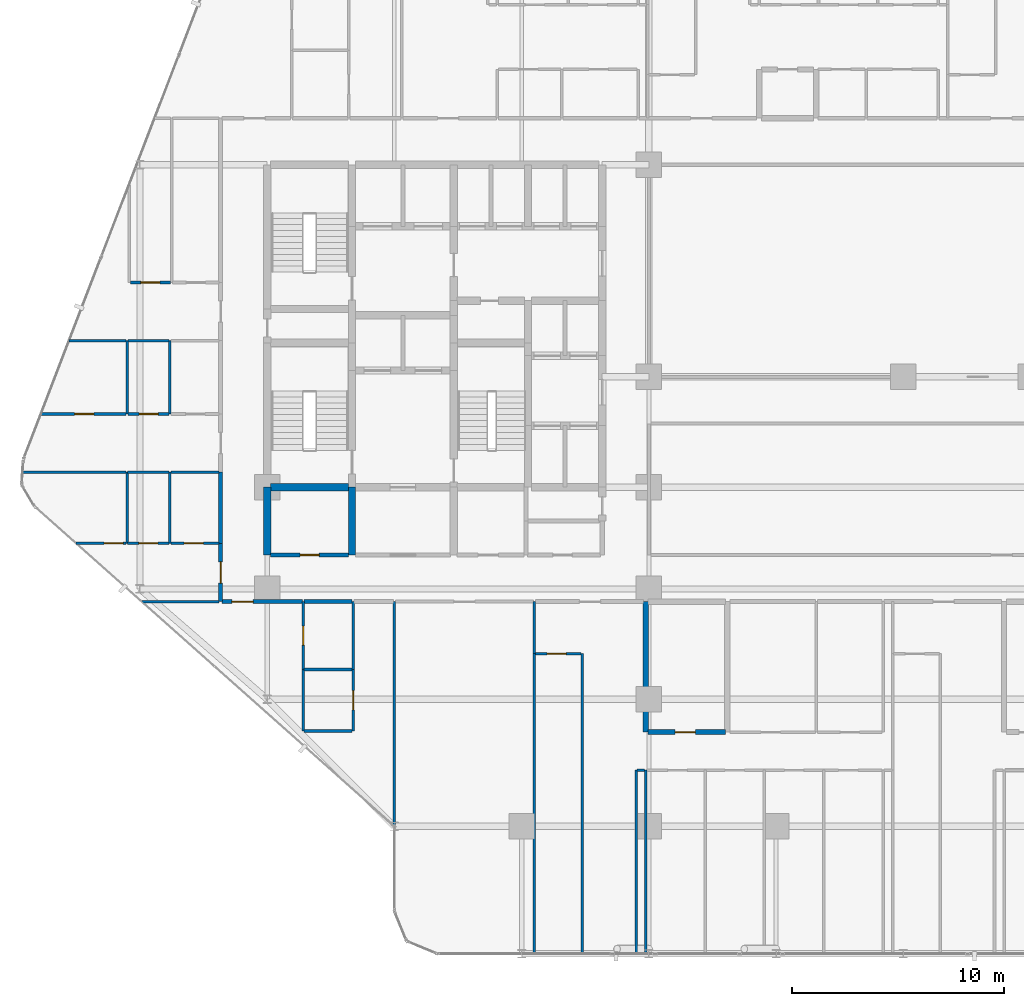
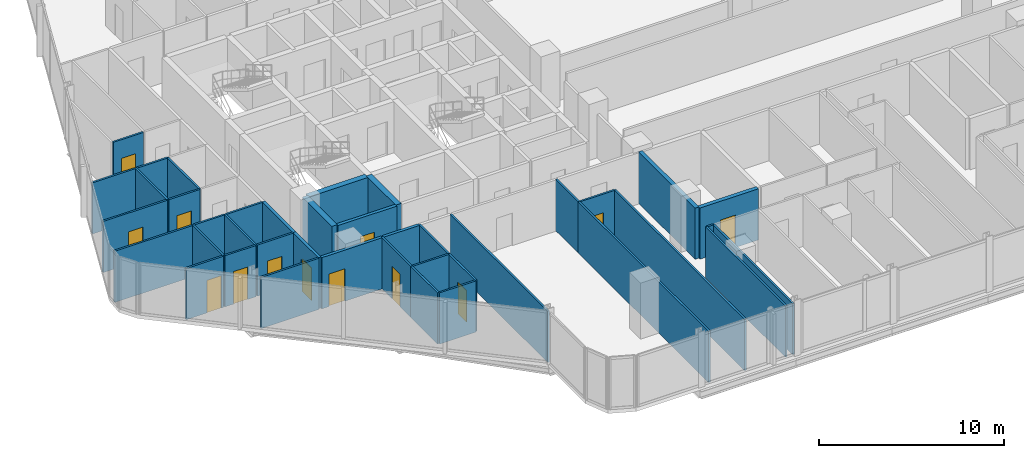
# One storey, part 26 of 34: 40 walls, 13 doors, 13 openings.
"""IFC4 building model written with IfcOpenShell, lengths in metres."""

import ifcopenshell
import ifcopenshell.guid

model = None  # the IFC model being written
_history = None  # IfcOwnerHistory: only IFC2X3 demands one
_inside = {}  # id of a spatial element -> (the spatial element, [elements in it])
_under = {}  # id of a project, library or spatial element -> (it, [spatial elements below it])
_declared = {}  # id of a project -> (the project, [libraries it declares])
_typed = {}  # id of a type object -> (the type object, [elements of that type])
_made_of = {}  # id of a material, layer set ... -> (it, [elements and type objects made of it])


def new_model(schema):
    """Start an empty IFC model of exactly this schema.

    Asked for "IFC4X3", IfcOpenShell would pick the latest addendum, in which some entities
    have other attributes; the version numbers below select the first issue.
    IFC2X3 requires an IfcOwnerHistory on every rooted entity: one is made here for all.
    """
    global model, _history
    if schema == "IFC4X3":
        model = ifcopenshell.file(schema_version=(4, 3, 0, 0))
    else:
        model = ifcopenshell.file(schema=schema)
    _inside.clear()
    _under.clear()
    _declared.clear()
    _typed.clear()
    _made_of.clear()
    _history = None
    if model.schema == "IFC2X3":
        org = make("IfcOrganization", Name="unknown")
        user = make(
            "IfcPersonAndOrganization",
            ThePerson=make("IfcPerson", FamilyName="unknown"),
            TheOrganization=org,
        )
        app = make(
            "IfcApplication",
            ApplicationDeveloper=org,
            Version="unknown",
            ApplicationFullName="unknown",
            ApplicationIdentifier="unknown",
        )
        _history = make(
            "IfcOwnerHistory",
            OwningUser=user,
            OwningApplication=app,
            ChangeAction="ADDED",
            CreationDate=0,
        )
    return model


def make(cls, **values):
    """One entity of the class cls with the attributes given. An attribute that is None is left unset."""
    return model.create_entity(
        cls, **{name: value for name, value in values.items() if value is not None}
    )


def rooted(cls, **values):
    """An entity with a GlobalId (a new one), such as an element, a storey or a relation."""
    return make(cls, GlobalId=ifcopenshell.guid.new(), OwnerHistory=_history, **values)


def si_unit(unit_type, name, prefix=None):
    """IfcSIUnit, for example si_unit("LENGTHUNIT", "METRE", prefix="MILLI")."""
    return make("IfcSIUnit", UnitType=unit_type, Prefix=prefix, Name=name)


def assignment(units):
    """IfcUnitAssignment: the units of a project."""
    return None if units is None else make("IfcUnitAssignment", Units=units)


def point(xyz):
    """IfcCartesianPoint."""
    return None if xyz is None else make("IfcCartesianPoint", Coordinates=xyz)


def direction(xyz):
    """IfcDirection."""
    return None if xyz is None else make("IfcDirection", DirectionRatios=xyz)


def frame(location, z_axis=None, x_axis=None):
    """IfcAxis2Placement3D, a coordinate frame: its origin and axes. An axis left out is left unset."""
    return make(
        "IfcAxis2Placement3D",
        Location=point(location),
        Axis=direction(z_axis),
        RefDirection=direction(x_axis),
    )


def frame_2d(location, x_axis=None):
    """IfcAxis2Placement2D, a coordinate frame in the plane: its origin and x axis."""
    return make(
        "IfcAxis2Placement2D", Location=point(location), RefDirection=direction(x_axis)
    )


def origin():
    """The frame at (0, 0, 0) with its axes left unset."""
    return frame((0.0, 0.0, 0.0))


def place(relative_to, where):
    """IfcLocalPlacement: puts the frame where relative to a parent placement (None: the world)."""
    return make(
        "IfcLocalPlacement", PlacementRelTo=relative_to, RelativePlacement=where
    )


def context(
    kind, dimensions, precision=None, world=None, true_north=None, identifier=None
):
    """IfcGeometricRepresentationContext, for example the 3D "Model" context."""
    return make(
        "IfcGeometricRepresentationContext",
        ContextIdentifier=identifier,
        ContextType=kind,
        CoordinateSpaceDimension=dimensions,
        Precision=precision,
        WorldCoordinateSystem=world,
        TrueNorth=true_north,
    )


def subcontext(parent, identifier, kind, view, scale=None):
    """IfcGeometricRepresentationSubContext, for example "Body" below "Model"."""
    return make(
        "IfcGeometricRepresentationSubContext",
        ContextIdentifier=identifier,
        ContextType=kind,
        ParentContext=parent,
        TargetScale=scale,
        TargetView=view,
    )


def project(units=None, contexts=None):
    """IfcProject with its units and contexts."""
    return rooted(
        "IfcProject",
        Name="project",
        RepresentationContexts=contexts,
        UnitsInContext=assignment(units),
    )


def spatial(cls, under=None, at=None, **own):
    """A site, building, storey or space (cls), placed at a placement, below another one or the project."""
    s = rooted(cls, ObjectPlacement=at, **own)
    if under is not None:
        _under.setdefault(under.id(), (under, []))[1].append(s)
    return s


def profile(cls, at=None, kind="AREA", **sizes):
    """A parametric profile (cls). Its sizes go by their IFC names, for example OverallWidth=200.0."""
    return make(cls, ProfileType=kind, Position=at, **sizes)


def rectangle(**sizes):
    """IfcRectangleProfileDef."""
    return profile("IfcRectangleProfileDef", **sizes)


def extrude(swept, where, along, depth):
    """IfcExtrudedAreaSolid: the profile swept, set in the frame where, extruded along a direction by depth."""
    return make(
        "IfcExtrudedAreaSolid",
        SweptArea=swept,
        Position=where,
        ExtrudedDirection=direction(along),
        Depth=depth,
    )


def shape(context_of_items, identifier, shape_type, items):
    """IfcShapeRepresentation: the items that make up one representation, for example the "Body"."""
    return make(
        "IfcShapeRepresentation",
        ContextOfItems=context_of_items,
        RepresentationIdentifier=identifier,
        RepresentationType=shape_type,
        Items=items,
    )


def material(Name=None, Category=None):
    """IfcMaterial."""
    return make("IfcMaterial", Name=Name, Category=Category)


def layer(
    of_material, thickness, ventilated=None, Name=None, Category=None, Priority=None
):
    """IfcMaterialLayer: one layer of a wall or slab, of a material (None: an air gap)."""
    return make(
        "IfcMaterialLayer",
        Material=of_material,
        LayerThickness=thickness,
        IsVentilated=ventilated,
        Name=Name,
        Category=Category,
        Priority=Priority,
    )


def layer_set(layers, Name=None):
    """IfcMaterialLayerSet."""
    return make("IfcMaterialLayerSet", MaterialLayers=layers, LayerSetName=Name)


def made_of(thing, what):
    """Note that an element or type object is made of a material, layer set ...; save() writes the relation."""
    if what is not None:
        _made_of.setdefault(what.id(), (what, []))[1].append(thing)
    return thing


def type_object(cls, material=None, **own):
    """A type object (cls), such as IfcWallType, which elements share."""
    return made_of(rooted(cls, **own), material)


def element(
    cls,
    number,
    at=None,
    inside=None,
    cuts=None,
    type_object=None,
    material=None,
    context=None,
    identifier="Body",
    shape_type=None,
    held_by="IfcProductDefinitionShape",
    body=None,
    shapes=None,
    **own,
):
    """One element of the class cls, such as IfcWall. Its Tag is "e" and its number.

    at: its placement. inside: the storey or other place that contains it. cuts: it is an
    opening in that element (IfcRelVoidsElement). A single representation is given by context,
    identifier, shape_type and body (its items); several are given by shapes. held_by: the class
    of the entity that holds the representations. save() writes the other relations.
    """
    e = rooted(cls, Tag="e%d" % number, ObjectPlacement=at, **own)
    if body is not None:
        shapes = [shape(context, identifier, shape_type, body)]
    if shapes is not None:
        e.Representation = make(held_by, Representations=shapes)
    if inside is not None:
        _inside.setdefault(inside.id(), (inside, []))[1].append(e)
    if cuts is not None:
        rooted(
            "IfcRelVoidsElement", RelatingBuildingElement=cuts, RelatedOpeningElement=e
        )
    if type_object is not None:
        _typed.setdefault(type_object.id(), (type_object, []))[1].append(e)
    return made_of(e, material)


def fill(opening, filler):
    """IfcRelFillsElement: the door or window that sits in an opening."""
    return rooted(
        "IfcRelFillsElement",
        RelatingOpeningElement=opening,
        RelatedBuildingElement=filler,
    )


def aggregate(whole, parts):
    """IfcRelAggregates: a whole, such as a stair, and the parts it consists of."""
    return rooted("IfcRelAggregates", RelatingObject=whole, RelatedObjects=parts)


def save(model, path):
    """Write the relations noted so far, then the file.

    IfcRelAggregates (storeys below a building ...), IfcRelContainedInSpatialStructure (elements
    in a storey), IfcRelDefinesByType, IfcRelAssociatesMaterial and IfcRelDeclares: one each for
    every whole, place, type object, material and project.
    """
    for whole, parts in _under.values():
        aggregate(whole, parts)
    for where, things in _inside.values():
        rooted(
            "IfcRelContainedInSpatialStructure",
            RelatedElements=things,
            RelatingStructure=where,
        )
    for kind, things in _typed.values():
        rooted("IfcRelDefinesByType", RelatedObjects=things, RelatingType=kind)
    for what, things in _made_of.values():
        rooted("IfcRelAssociatesMaterial", RelatedObjects=things, RelatingMaterial=what)
    for by, libraries in _declared.values():
        rooted("IfcRelDeclares", RelatingContext=by, RelatedDefinitions=libraries)
    model.write(path)


model = new_model("IFC4")

# Units and contexts
model_context = context("Model", 3, precision=1e-05, world=origin(), true_north=direction((0.0, 1.0)))
body_context = subcontext(model_context, "Body", "Model", "MODEL_VIEW")
ifc_project = project(units=[si_unit("LENGTHUNIT", "METRE"), si_unit("AREAUNIT", "SQUARE_METRE"), si_unit("VOLUMEUNIT", "CUBIC_METRE"), si_unit("PLANEANGLEUNIT", "RADIAN"), si_unit("MASSUNIT", "GRAM", prefix="KILO")], contexts=[model_context])

# Site, building, storey
site_placement = place(None, origin())
site = spatial("IfcSite", under=ifc_project, at=site_placement, CompositionType="ELEMENT")
building_placement = place(site_placement, origin())
building = spatial("IfcBuilding", under=site, at=building_placement, Name="Keshet Zoharim Tower", CompositionType="ELEMENT")
storey_placement = place(building_placement, frame((0.0, 0.0, 53.60009765625)))
storey = spatial("IfcBuildingStorey", under=building, at=storey_placement, Name="L12", CompositionType="ELEMENT", Elevation=53.60009765625)

# Walls
ifc_material_1 = material(Name="Concrete C60/75", Category="concrete")
ifc_layer_1 = layer(ifc_material_1, 0.35009765625)
ifc_layer_set_1 = layer_set([ifc_layer_1], Name="Concrete C60/75")
wall_type_1 = type_object("IfcWallType", Name="WL-CORE-350", PredefinedType="SHEAR", material=ifc_layer_set_1)
for number, where, z_axis, x_axis, name in (
    (1, (15.0, 19.5, 0.0), (0.0, 0.0, 1.0), (0.0, 1.0, 0.0), "L12 Core Shear Wall 013"),
    (2, (19.0, 19.5, 0.0), (0.0, 0.0, 1.0), (0.0, 1.0, 0.0), "L12 Core Shear Wall 023"),
):
    element("IfcWall", number, at=place(storey_placement, frame(where, z_axis=z_axis, x_axis=x_axis)), inside=storey, type_object=wall_type_1, Name=name, PredefinedType="SHEAR", context=body_context, shape_type="SweptSolid", body=[
        extrude(rectangle(XDim=3.199951171875, YDim=0.35009765625, at=frame_2d((1.60009765625, 0.0))), origin(), (0.0, 0.0, 1.0), 3.385009765625),
    ])
wall_1_placement = place(storey_placement, frame((15.159912109375, 22.699951171875, 0.0), z_axis=(0.0, 0.0, 1.0), x_axis=(1.0, 0.0, 0.0)))
element("IfcWall", 3, at=wall_1_placement, inside=storey, type_object=wall_type_1, Name="L12 Core Shear Wall 174", PredefinedType="SHEAR", context=body_context, shape_type="SweptSolid", body=[
    extrude(rectangle(XDim=3.68017578125, YDim=0.35009765625, at=frame_2d((1.840087890625, 0.0))), origin(), (0.0, 0.0, 1.0), 3.385009765625),
])

# Wall, opening, door
ifc_material_2 = material(Name="Gypsum Plasterboard", Category="gypsum")
ifc_layer_2 = layer(ifc_material_2, 0.179931640625)
ifc_layer_set_2 = layer_set([ifc_layer_2], Name="Gypsum Plasterboard")
wall_type_2 = type_object("IfcWallType", Name="WL-CORR-180", PredefinedType="STANDARD", material=ifc_layer_set_2)
wall_2_placement = place(storey_placement, frame((12.800048828125, 17.300048828125, 0.0), z_axis=(0.0, 0.0, 1.0), x_axis=(0.0, 1.0, 0.0)))
wall_2 = element("IfcWall", 4, at=wall_2_placement, inside=storey, type_object=wall_type_2, Name="L12 Interior Wall 007", PredefinedType="STANDARD", context=body_context, shape_type="SweptSolid", body=[
    extrude(rectangle(XDim=2.75, YDim=0.179931640625, at=frame_2d((1.375, 0.0))), origin(), (0.0, 0.0, 1.0), 3.385009765625),
])
opening_1_placement = place(wall_2_placement, frame((0.875, 0.0, 0.0)))
opening_1 = element("IfcOpeningElement", 5, at=opening_1_placement, cuts=wall_2, Name="Opening D-F310", PredefinedType="OPENING", context=body_context, shape_type="SweptSolid", body=[
    extrude(rectangle(XDim=1.0, YDim=2.14990234375, at=frame_2d((0.5, 1.074951171875))), frame((0.0, 0.10009765625, 0.0), z_axis=(0.0, -1.0, 0.0), x_axis=(1.0, 0.0, 0.0)), (0.0, 0.0, 1.0), 0.199951171875),
])
ifc_material_3 = material(Name="Hardwood Timber", Category="wood")
door_type_1 = type_object("IfcDoorType", Name="DR-FD30-100", OperationType="NOTDEFINED", PredefinedType="DOOR", material=ifc_material_3)
door_1_placement = place(opening_1_placement, origin())
door_1 = element("IfcDoor", 6, at=door_1_placement, inside=storey, type_object=door_type_1, Name="Apartment 1209 Entrance Door", OperationType="SINGLE_SWING_LEFT", OverallHeight=2.14990234375, OverallWidth=1.0, PredefinedType="DOOR", context=body_context, shape_type="SweptSolid", body=[
    extrude(rectangle(XDim=1.0, YDim=2.14990234375, at=frame_2d((0.5, 1.074951171875))), frame((0.0, 0.02490234375, 0.0), z_axis=(0.0, -1.0, 0.0), x_axis=(1.0, 0.0, 0.0)), (0.0, 0.0, 1.0), 0.050048828125),
])
fill(opening_1, door_1)

# Wall
wall_3_placement = place(storey_placement, frame((12.800048828125, 20.050048828125, 0.0), z_axis=(0.0, 0.0, 1.0), x_axis=(0.0, 1.0, 0.0)))
element("IfcWall", 7, at=wall_3_placement, inside=storey, type_object=wall_type_2, Name="L12 Interior Wall 008", PredefinedType="STANDARD", context=body_context, shape_type="SweptSolid", body=[
    extrude(rectangle(XDim=3.35986328125, YDim=0.179931640625, at=frame_2d((1.679931640625, 0.0))), origin(), (0.0, 0.0, 1.0), 3.385009765625),
])

# Wall, opening, door
wall_4_placement = place(storey_placement, frame((12.875, 17.300048828125, 0.0), z_axis=(0.0, 0.0, 1.0), x_axis=(1.0, 0.0, 0.0)))
wall_4 = element("IfcWall", 8, at=wall_4_placement, inside=storey, type_object=wall_type_2, Name="L12 Interior Wall 148", PredefinedType="STANDARD", context=body_context, shape_type="SweptSolid", body=[
    extrude(rectangle(XDim=3.780029296875, YDim=0.179931640625, at=frame_2d((1.89013671875, 0.0))), origin(), (0.0, 0.0, 1.0), 3.385009765625),
])
opening_2_placement = place(wall_4_placement, frame((0.4580078125, 0.0, 0.0)))
opening_2 = element("IfcOpeningElement", 9, at=opening_2_placement, cuts=wall_4, Name="Opening D-F310", PredefinedType="OPENING", context=body_context, shape_type="SweptSolid", body=[
    extrude(rectangle(XDim=1.0, YDim=2.14990234375, at=frame_2d((0.5, 1.074951171875))), frame((0.0, 0.10009765625, 0.0), z_axis=(0.0, -1.0, 0.0), x_axis=(1.0, 0.0, 0.0)), (0.0, 0.0, 1.0), 0.199951171875),
])
door_2_placement = place(opening_2_placement, origin())
door_2 = element("IfcDoor", 10, at=door_2_placement, inside=storey, type_object=door_type_1, Name="Apartment 1201 Entrance Door", OperationType="SINGLE_SWING_LEFT", OverallHeight=2.14990234375, OverallWidth=1.0, PredefinedType="DOOR", context=body_context, shape_type="SweptSolid", body=[
    extrude(rectangle(XDim=1.0, YDim=2.14990234375, at=frame_2d((0.5, 1.074951171875))), frame((0.0, 0.02490234375, 0.0), z_axis=(0.0, -1.0, 0.0), x_axis=(1.0, 0.0, 0.0)), (0.0, 0.0, 1.0), 0.050048828125),
])
fill(opening_2, door_2)

# Wall
wall_5_placement = place(storey_placement, frame((16.7451171875, 17.300048828125, 0.0), z_axis=(0.0, 0.0, 1.0), x_axis=(1.0, 0.0, 0.0)))
element("IfcWall", 11, at=wall_5_placement, inside=storey, type_object=wall_type_2, Name="L12 Interior Wall 149", PredefinedType="STANDARD", context=body_context, shape_type="SweptSolid", body=[
    extrude(rectangle(XDim=2.259765625, YDim=0.179931640625, at=frame_2d((1.1298828125, 0.0))), origin(), (0.0, 0.0, 1.0), 3.385009765625),
])

# Wall, opening, door
ifc_material_4 = material(Name="Concrete C50/60", Category="concrete")
ifc_layer_3 = layer(ifc_material_4, 0.199951171875)
ifc_layer_set_3 = layer_set([ifc_layer_3], Name="Concrete C50/60")
wall_type_3 = type_object("IfcWallType", Name="WL-FIRE-200", PredefinedType="STANDARD", material=ifc_layer_set_3)
wall_6_placement = place(storey_placement, frame((15.159912109375, 19.5, 0.0), z_axis=(0.0, 0.0, 1.0), x_axis=(1.0, 0.0, 0.0)))
wall_6 = element("IfcWall", 12, at=wall_6_placement, inside=storey, type_object=wall_type_3, Name="L12 Interior Wall 165", PredefinedType="STANDARD", context=body_context, shape_type="SweptSolid", body=[
    extrude(rectangle(XDim=3.68017578125, YDim=0.199951171875, at=frame_2d((1.840087890625, 0.0))), origin(), (0.0, 0.0, 1.0), 3.385009765625),
])
opening_3_placement = place(wall_6_placement, frame((1.389892578125, 0.0, 0.0)))
opening_3 = element("IfcOpeningElement", 13, at=opening_3_placement, cuts=wall_6, Name="Opening D-F690", PredefinedType="OPENING", context=body_context, shape_type="SweptSolid", body=[
    extrude(rectangle(XDim=0.89990234375, YDim=2.14990234375, at=frame_2d((0.449951171875, 1.074951171875))), frame((0.0, 0.10986328125, 0.0), z_axis=(0.0, -1.0, 0.0), x_axis=(1.0, 0.0, 0.0)), (0.0, 0.0, 1.0), 0.219970703125),
])
door_type_2 = type_object("IfcDoorType", Name="DR-FD60-090", OperationType="NOTDEFINED", PredefinedType="DOOR", material=ifc_material_3)
door_3_placement = place(opening_3_placement, origin())
door_3 = element("IfcDoor", 14, at=door_3_placement, inside=storey, type_object=door_type_2, Name="L12 Refuse Store Door", OperationType="SINGLE_SWING_RIGHT", OverallHeight=2.14990234375, OverallWidth=0.89990234375, PredefinedType="DOOR", context=body_context, shape_type="SweptSolid", body=[
    extrude(rectangle(XDim=0.89990234375, YDim=2.14990234375, at=frame_2d((0.449951171875, 1.074951171875))), frame((0.0, 0.02490234375, 0.0), z_axis=(0.0, -1.0, 0.0), x_axis=(1.0, 0.0, 0.0)), (0.0, 0.0, 1.0), 0.050048828125),
])
fill(opening_3, door_3)

# Wall
ifc_layer_4 = layer(ifc_material_4, 0.25)
ifc_layer_set_4 = layer_set([ifc_layer_4], Name="Concrete C50/60")
wall_type_4 = type_object("IfcWallType", Name="WL-MAMAD-250", PredefinedType="STANDARD", material=ifc_layer_set_4)
wall_7_placement = place(storey_placement, frame((32.85009765625, 11.14990234375, 0.0), z_axis=(0.0, 0.0, 1.0), x_axis=(0.0, 1.0, 0.0)))
element("IfcWall", 15, at=wall_7_placement, inside=storey, type_object=wall_type_4, Name="L12 Interior Wall 071", PredefinedType="STANDARD", context=body_context, shape_type="SweptSolid", body=[
    extrude(rectangle(XDim=6.150146484375, YDim=0.25, at=frame_2d((3.0751953125, 0.0))), origin(), (0.0, 0.0, 1.0), 3.385009765625),
])

# Wall, opening, door
wall_8_placement = place(storey_placement, frame((32.9599609375, 11.14990234375, 0.0), z_axis=(0.0, 0.0, 1.0), x_axis=(1.0, 0.0, 0.0)))
wall_8 = element("IfcWall", 16, at=wall_8_placement, inside=storey, type_object=wall_type_4, Name="L12 Interior Wall 135", PredefinedType="STANDARD", context=body_context, shape_type="SweptSolid", body=[
    extrude(rectangle(XDim=3.655029296875, YDim=0.25, at=frame_2d((1.82763671875, 0.0))), origin(), (0.0, 0.0, 1.0), 3.385009765625),
])
opening_4_placement = place(wall_8_placement, frame((1.281005859375, 0.0, 0.0)))
opening_4 = element("IfcOpeningElement", 17, at=opening_4_placement, cuts=wall_8, Name="Opening D-F695", PredefinedType="OPENING", context=body_context, shape_type="SweptSolid", body=[
    extrude(rectangle(XDim=0.949951171875, YDim=2.14990234375, at=frame_2d((0.47509765625, 1.074951171875))), frame((0.0, 0.135009765625, 0.0), z_axis=(0.0, -1.0, 0.0), x_axis=(1.0, 0.0, 0.0)), (0.0, 0.0, 1.0), 0.27001953125),
])
door_type_3 = type_object("IfcDoorType", Name="DR-FD60-095", OperationType="NOTDEFINED", PredefinedType="DOOR", material=ifc_material_3)
door_4_placement = place(opening_4_placement, origin())
door_4 = element("IfcDoor", 18, at=door_4_placement, inside=storey, type_object=door_type_3, Name="Apartment 1202 Study and Shelter Room Door", OperationType="SINGLE_SWING_LEFT", OverallHeight=2.14990234375, OverallWidth=0.949951171875, PredefinedType="DOOR", context=body_context, shape_type="SweptSolid", body=[
    extrude(rectangle(XDim=0.949951171875, YDim=2.14990234375, at=frame_2d((0.47509765625, 1.074951171875))), frame((0.0, 0.02490234375, 0.0), z_axis=(0.0, -1.0, 0.0), x_axis=(1.0, 0.0, 0.0)), (0.0, 0.0, 1.0), 0.050048828125),
])
fill(opening_4, door_4)

# Walls
ifc_layer_5 = layer(ifc_material_2, 0.1201171875)
ifc_layer_set_5 = layer_set([ifc_layer_5], Name="Gypsum Plasterboard")
wall_type_5 = type_object("IfcWallType", Name="WL-PART-120", PredefinedType="PARTITIONING", material=ifc_layer_set_5)
wall_9_placement = place(storey_placement, frame((8.39990234375, 20.050048828125, 0.0), z_axis=(0.0, 0.0, 1.0), x_axis=(0.0, 1.0, 0.0)))
element("IfcWall", 19, at=wall_9_placement, inside=storey, type_object=wall_type_5, Name="L12 Interior Wall 001", PredefinedType="PARTITIONING", context=body_context, shape_type="SweptSolid", body=[
    extrude(rectangle(XDim=3.35986328125, YDim=0.1201171875, at=frame_2d((1.679931640625, 0.0))), origin(), (0.0, 0.0, 1.0), 3.385009765625),
])
wall_10_placement = place(storey_placement, frame((8.39990234375, 26.159912109375, 0.0), z_axis=(0.0, 0.0, 1.0), x_axis=(0.0, 1.0, 0.0)))
element("IfcWall", 20, at=wall_10_placement, inside=storey, type_object=wall_type_5, Name="L12 Interior Wall 002", PredefinedType="PARTITIONING", context=body_context, shape_type="SweptSolid", body=[
    extrude(rectangle(XDim=3.4501953125, YDim=0.1201171875, at=frame_2d((1.72509765625, 0.0))), origin(), (0.0, 0.0, 1.0), 3.385009765625),
])

# Wall, opening, door
wall_11_placement = place(storey_placement, frame((16.699951171875, 14.10009765625, 0.0), z_axis=(0.0, 0.0, 1.0), x_axis=(0.0, 1.0, 0.0)))
wall_11 = element("IfcWall", 21, at=wall_11_placement, inside=storey, type_object=wall_type_5, Name="L12 Interior Wall 020", PredefinedType="PARTITIONING", context=body_context, shape_type="SweptSolid", body=[
    extrude(rectangle(XDim=3.199951171875, YDim=0.1201171875, at=frame_2d((1.60009765625, 0.0))), origin(), (0.0, 0.0, 1.0), 3.385009765625),
])
opening_5_placement = place(wall_11_placement, frame((1.14990234375, 0.0, 0.0)))
opening_5 = element("IfcOpeningElement", 22, at=opening_5_placement, cuts=wall_11, Name="Opening D-IN90", PredefinedType="OPENING", context=body_context, shape_type="SweptSolid", body=[
    extrude(rectangle(XDim=0.89990234375, YDim=2.14990234375, at=frame_2d((0.449951171875, 1.074951171875))), frame((0.0, 0.070068359375, 0.0), z_axis=(0.0, -1.0, 0.0), x_axis=(1.0, 0.0, 0.0)), (0.0, 0.0, 1.0), 0.14013671875),
])
door_type_4 = type_object("IfcDoorType", Name="DR-INT-090", OperationType="NOTDEFINED", PredefinedType="DOOR", material=ifc_material_3)
door_5_placement = place(opening_5_placement, origin())
door_5 = element("IfcDoor", 23, at=door_5_placement, inside=storey, type_object=door_type_4, Name="Apartment 1201 Kitchenette Door", OperationType="SINGLE_SWING_RIGHT", OverallHeight=2.14990234375, OverallWidth=0.89990234375, PredefinedType="DOOR", context=body_context, shape_type="SweptSolid", body=[
    extrude(rectangle(XDim=0.89990234375, YDim=2.14990234375, at=frame_2d((0.449951171875, 1.074951171875))), frame((0.0, 0.02490234375, 0.0), z_axis=(0.0, -1.0, 0.0), x_axis=(1.0, 0.0, 0.0)), (0.0, 0.0, 1.0), 0.050048828125),
])
fill(opening_5, door_5)

# Walls
wall_12_placement = place(storey_placement, frame((19.050048828125, 14.10009765625, 0.0), z_axis=(0.0, 0.0, 1.0), x_axis=(0.0, 1.0, 0.0)))
element("IfcWall", 24, at=wall_12_placement, inside=storey, type_object=wall_type_5, Name="L12 Interior Wall 029", PredefinedType="PARTITIONING", context=body_context, shape_type="SweptSolid", body=[
    extrude(rectangle(XDim=3.199951171875, YDim=0.1201171875, at=frame_2d((1.60009765625, 0.0))), origin(), (0.0, 0.0, 1.0), 3.385009765625),
])
wall_13_placement = place(storey_placement, frame((21.0, 6.7099609375, 0.0), z_axis=(0.0, 0.0, 1.0), x_axis=(0.0, 1.0, 0.0)))
element("IfcWall", 25, at=wall_13_placement, inside=storey, type_object=wall_type_5, Name="L12 Interior Wall 030", PredefinedType="PARTITIONING", context=body_context, shape_type="SweptSolid", body=[
    extrude(rectangle(XDim=10.590087890625, YDim=0.1201171875, at=frame_2d((5.294921875, 0.0))), origin(), (0.0, 0.0, 1.0), 3.385009765625),
])
wall_14_placement = place(storey_placement, frame((27.60009765625, 0.7099609375, 0.0), z_axis=(0.0, 0.0, 1.0), x_axis=(0.0, 1.0, 0.0)))
element("IfcWall", 26, at=wall_14_placement, inside=storey, type_object=wall_type_5, Name="L12 Interior Wall 052", PredefinedType="PARTITIONING", context=body_context, shape_type="SweptSolid", body=[
    extrude(rectangle(XDim=14.14013671875, YDim=0.1201171875, at=frame_2d((7.070068359375, 0.0))), origin(), (0.0, 0.0, 1.0), 3.385009765625),
])
wall_15_placement = place(storey_placement, frame((27.60009765625, 14.85009765625, 0.0), z_axis=(0.0, 0.0, 1.0), x_axis=(0.0, 1.0, 0.0)))
element("IfcWall", 27, at=wall_15_placement, inside=storey, type_object=wall_type_5, Name="L12 Interior Wall 053", PredefinedType="PARTITIONING", context=body_context, shape_type="SweptSolid", body=[
    extrude(rectangle(XDim=2.449951171875, YDim=0.1201171875, at=frame_2d((1.22509765625, 0.0))), origin(), (0.0, 0.0, 1.0), 3.385009765625),
])
wall_16_placement = place(storey_placement, frame((29.85009765625, 0.7099609375, 0.0), z_axis=(0.0, 0.0, 1.0), x_axis=(0.0, 1.0, 0.0)))
element("IfcWall", 28, at=wall_16_placement, inside=storey, type_object=wall_type_5, Name="L12 Interior Wall 059", PredefinedType="PARTITIONING", context=body_context, shape_type="SweptSolid", body=[
    extrude(rectangle(XDim=14.14013671875, YDim=0.1201171875, at=frame_2d((7.070068359375, 0.0))), origin(), (0.0, 0.0, 1.0), 3.385009765625),
])
for number, where, z_axis, x_axis, name in (
    (29, (32.39990234375, 0.7099609375, 0.0), (0.0, 0.0, 1.0), (0.0, 1.0, 0.0), "L12 Interior Wall 067"),
    (30, (32.85009765625, 0.7099609375, 0.0), (0.0, 0.0, 1.0), (0.0, 1.0, 0.0), "L12 Interior Wall 070"),
):
    element("IfcWall", number, at=place(storey_placement, frame(where, z_axis=z_axis, x_axis=x_axis)), inside=storey, type_object=wall_type_5, Name=name, PredefinedType="PARTITIONING", context=body_context, shape_type="SweptSolid", body=[
        extrude(rectangle(XDim=8.64013671875, YDim=0.1201171875, at=frame_2d((4.320068359375, 0.0))), origin(), (0.0, 0.0, 1.0), 3.385009765625),
    ])
wall_17_placement = place(storey_placement, frame((32.445068359375, 9.35009765625, 0.0), z_axis=(0.0, 0.0, 1.0), x_axis=(1.0, 0.0, 0.0)))
element("IfcWall", 31, at=wall_17_placement, inside=storey, type_object=wall_type_5, Name="L12 Interior Wall 127", PredefinedType="PARTITIONING", context=body_context, shape_type="SweptSolid", body=[
    extrude(rectangle(XDim=0.35986328125, YDim=0.1201171875, at=frame_2d((0.179931640625, 0.0))), origin(), (0.0, 0.0, 1.0), 3.385009765625),
])

# Wall, opening, door
wall_18_placement = place(storey_placement, frame((27.64501953125, 14.85009765625, 0.0), z_axis=(0.0, 0.0, 1.0), x_axis=(1.0, 0.0, 0.0)))
wall_18 = element("IfcWall", 32, at=wall_18_placement, inside=storey, type_object=wall_type_5, Name="L12 Interior Wall 145", PredefinedType="PARTITIONING", context=body_context, shape_type="SweptSolid", body=[
    extrude(rectangle(XDim=2.159912109375, YDim=0.1201171875, at=frame_2d((1.080078125, 0.0))), origin(), (0.0, 0.0, 1.0), 3.385009765625),
])
opening_6_placement = place(wall_18_placement, frame((0.552978515625, 0.0, 0.0)))
opening_6 = element("IfcOpeningElement", 33, at=opening_6_placement, cuts=wall_18, Name="Opening D-IN90", PredefinedType="OPENING", context=body_context, shape_type="SweptSolid", body=[
    extrude(rectangle(XDim=0.89990234375, YDim=2.14990234375, at=frame_2d((0.449951171875, 1.074951171875))), frame((0.0, 0.070068359375, 0.0), z_axis=(0.0, -1.0, 0.0), x_axis=(1.0, 0.0, 0.0)), (0.0, 0.0, 1.0), 0.14013671875),
])
door_6_placement = place(opening_6_placement, origin())
door_6 = element("IfcDoor", 34, at=door_6_placement, inside=storey, type_object=door_type_4, Name="Apartment 1202 Formal Dining Room Door", OperationType="SINGLE_SWING_LEFT", OverallHeight=2.14990234375, OverallWidth=0.89990234375, PredefinedType="DOOR", context=body_context, shape_type="SweptSolid", body=[
    extrude(rectangle(XDim=0.89990234375, YDim=2.14990234375, at=frame_2d((0.449951171875, 1.074951171875))), frame((0.0, 0.02490234375, 0.0), z_axis=(0.0, -1.0, 0.0), x_axis=(1.0, 0.0, 0.0)), (0.0, 0.0, 1.0), 0.050048828125),
])
fill(opening_6, door_6)

# Wall
wall_19_placement = place(storey_placement, frame((9.0849609375, 17.300048828125, 0.0), z_axis=(0.0, 0.0, 1.0), x_axis=(1.0, 0.0, 0.0)))
element("IfcWall", 35, at=wall_19_placement, inside=storey, type_object=wall_type_5, Name="L12 Interior Wall 147", PredefinedType="PARTITIONING", context=body_context, shape_type="SweptSolid", body=[
    extrude(rectangle(XDim=3.64013671875, YDim=0.1201171875, at=frame_2d((1.820068359375, 0.0))), origin(), (0.0, 0.0, 1.0), 3.385009765625),
])

# Wall, opening, door
wall_20_placement = place(storey_placement, frame((5.990966796875, 20.050048828125, 0.0), z_axis=(0.0, 0.0, 1.0), x_axis=(1.0, 0.0, 0.0)))
wall_20 = element("IfcWall", 36, at=wall_20_placement, inside=storey, type_object=wall_type_5, Name="L12 Interior Wall 170", PredefinedType="PARTITIONING", context=body_context, shape_type="SweptSolid", body=[
    extrude(rectangle(XDim=2.340087890625, YDim=0.1201171875, at=frame_2d((1.169921875, 0.0))), origin(), (0.0, 0.0, 1.0), 3.385009765625),
])
opening_7_placement = place(wall_20_placement, frame((1.320068359375, 0.0, 0.0)))
opening_7 = element("IfcOpeningElement", 37, at=opening_7_placement, cuts=wall_20, Name="Opening D-IN90", PredefinedType="OPENING", context=body_context, shape_type="SweptSolid", body=[
    extrude(rectangle(XDim=0.89990234375, YDim=2.14990234375, at=frame_2d((0.449951171875, 1.074951171875))), frame((0.0, 0.070068359375, 0.0), z_axis=(0.0, -1.0, 0.0), x_axis=(1.0, 0.0, 0.0)), (0.0, 0.0, 1.0), 0.14013671875),
])
door_7_placement = place(opening_7_placement, origin())
door_7 = element("IfcDoor", 38, at=door_7_placement, inside=storey, type_object=door_type_4, Name="Apartment 1209 Bedroom 1 Door", OperationType="SINGLE_SWING_LEFT", OverallHeight=2.14990234375, OverallWidth=0.89990234375, PredefinedType="DOOR", context=body_context, shape_type="SweptSolid", body=[
    extrude(rectangle(XDim=0.89990234375, YDim=2.14990234375, at=frame_2d((0.449951171875, 1.074951171875))), frame((0.0, 0.02490234375, 0.0), z_axis=(0.0, -1.0, 0.0), x_axis=(1.0, 0.0, 0.0)), (0.0, 0.0, 1.0), 0.050048828125),
])
fill(opening_7, door_7)

wall_21_placement = place(storey_placement, frame((8.4208984375, 20.050048828125, 0.0), z_axis=(0.0, 0.0, 1.0), x_axis=(1.0, 0.0, 0.0)))
wall_21 = element("IfcWall", 39, at=wall_21_placement, inside=storey, type_object=wall_type_5, Name="L12 Interior Wall 171", PredefinedType="PARTITIONING", context=body_context, shape_type="SweptSolid", body=[
    extrude(rectangle(XDim=1.945068359375, YDim=0.1201171875, at=frame_2d((0.97265625, 0.0))), origin(), (0.0, 0.0, 1.0), 3.385009765625),
])
opening_8_placement = place(wall_21_placement, frame((0.52197265625, 0.0, 0.0)))
opening_8 = element("IfcOpeningElement", 40, at=opening_8_placement, cuts=wall_21, Name="Opening D-IN90", PredefinedType="OPENING", context=body_context, shape_type="SweptSolid", body=[
    extrude(rectangle(XDim=0.89990234375, YDim=2.14990234375, at=frame_2d((0.449951171875, 1.074951171875))), frame((0.0, 0.070068359375, 0.0), z_axis=(0.0, -1.0, 0.0), x_axis=(1.0, 0.0, 0.0)), (0.0, 0.0, 1.0), 0.14013671875),
])
door_8_placement = place(opening_8_placement, origin())
door_8 = element("IfcDoor", 41, at=door_8_placement, inside=storey, type_object=door_type_4, Name="Apartment 1209 Kitchen Door", OperationType="SINGLE_SWING_RIGHT", OverallHeight=2.14990234375, OverallWidth=0.89990234375, PredefinedType="DOOR", context=body_context, shape_type="SweptSolid", body=[
    extrude(rectangle(XDim=0.89990234375, YDim=2.14990234375, at=frame_2d((0.449951171875, 1.074951171875))), frame((0.0, 0.02490234375, 0.0), z_axis=(0.0, -1.0, 0.0), x_axis=(1.0, 0.0, 0.0)), (0.0, 0.0, 1.0), 0.050048828125),
])
fill(opening_8, door_8)

# Walls
wall_22_placement = place(storey_placement, frame((3.468994140625, 23.39990234375, 0.0), z_axis=(0.0, 0.0, 1.0), x_axis=(1.0, 0.0, 0.0)))
element("IfcWall", 42, at=wall_22_placement, inside=storey, type_object=wall_type_5, Name="L12 Interior Wall 178", PredefinedType="PARTITIONING", context=body_context, shape_type="SweptSolid", body=[
    extrude(rectangle(XDim=4.862060546875, YDim=0.1201171875, at=frame_2d((2.43115234375, 0.0))), origin(), (0.0, 0.0, 1.0), 3.385009765625),
])
wall_23_placement = place(storey_placement, frame((8.4208984375, 23.39990234375, 0.0), z_axis=(0.0, 0.0, 1.0), x_axis=(1.0, 0.0, 0.0)))
element("IfcWall", 43, at=wall_23_placement, inside=storey, type_object=wall_type_5, Name="L12 Interior Wall 179", PredefinedType="PARTITIONING", context=body_context, shape_type="SweptSolid", body=[
    extrude(rectangle(XDim=1.945068359375, YDim=0.1201171875, at=frame_2d((0.97265625, 0.0))), origin(), (0.0, 0.0, 1.0), 3.385009765625),
])

# Wall, opening, door
wall_24_placement = place(storey_placement, frame((4.3369140625, 26.14990234375, 0.0), z_axis=(0.0, 0.0, 1.0), x_axis=(1.0, 0.0, 0.0)))
wall_24 = element("IfcWall", 44, at=wall_24_placement, inside=storey, type_object=wall_type_5, Name="L12 Interior Wall 183", PredefinedType="PARTITIONING", context=body_context, shape_type="SweptSolid", body=[
    extrude(rectangle(XDim=4.01220703125, YDim=0.1201171875, at=frame_2d((2.006103515625, 0.0))), origin(), (0.0, 0.0, 1.0), 3.385009765625),
])
opening_9_placement = place(wall_24_placement, frame((1.5859375, 0.0, 0.0)))
opening_9 = element("IfcOpeningElement", 45, at=opening_9_placement, cuts=wall_24, Name="Opening D-IN90", PredefinedType="OPENING", context=body_context, shape_type="SweptSolid", body=[
    extrude(rectangle(XDim=0.89990234375, YDim=2.14990234375, at=frame_2d((0.449951171875, 1.074951171875))), frame((0.0, 0.070068359375, 0.0), z_axis=(0.0, -1.0, 0.0), x_axis=(1.0, 0.0, 0.0)), (0.0, 0.0, 1.0), 0.14013671875),
])
door_9_placement = place(opening_9_placement, origin())
door_9 = element("IfcDoor", 46, at=door_9_placement, inside=storey, type_object=door_type_4, Name="Apartment 1210 Bedroom 1 Door", OperationType="SINGLE_SWING_LEFT", OverallHeight=2.14990234375, OverallWidth=0.89990234375, PredefinedType="DOOR", context=body_context, shape_type="SweptSolid", body=[
    extrude(rectangle(XDim=0.89990234375, YDim=2.14990234375, at=frame_2d((0.449951171875, 1.074951171875))), frame((0.0, 0.02490234375, 0.0), z_axis=(0.0, -1.0, 0.0), x_axis=(1.0, 0.0, 0.0)), (0.0, 0.0, 1.0), 0.050048828125),
])
fill(opening_9, door_9)

wall_25_placement = place(storey_placement, frame((8.43896484375, 26.14990234375, 0.0), z_axis=(0.0, 0.0, 1.0), x_axis=(1.0, 0.0, 0.0)))
wall_25 = element("IfcWall", 47, at=wall_25_placement, inside=storey, type_object=wall_type_5, Name="L12 Interior Wall 184", PredefinedType="PARTITIONING", context=body_context, shape_type="SweptSolid", body=[
    extrude(rectangle(XDim=1.93701171875, YDim=0.1201171875, at=frame_2d((0.968505859375, 0.0))), origin(), (0.0, 0.0, 1.0), 3.385009765625),
])
opening_10_placement = place(wall_25_placement, frame((0.51806640625, 0.0, 0.0)))
opening_10 = element("IfcOpeningElement", 48, at=opening_10_placement, cuts=wall_25, Name="Opening D-IN90", PredefinedType="OPENING", context=body_context, shape_type="SweptSolid", body=[
    extrude(rectangle(XDim=0.89990234375, YDim=2.14990234375, at=frame_2d((0.449951171875, 1.074951171875))), frame((0.0, 0.070068359375, 0.0), z_axis=(0.0, -1.0, 0.0), x_axis=(1.0, 0.0, 0.0)), (0.0, 0.0, 1.0), 0.14013671875),
])
door_10_placement = place(opening_10_placement, origin())
door_10 = element("IfcDoor", 49, at=door_10_placement, inside=storey, type_object=door_type_4, Name="Apartment 1210 Kitchen Door", OperationType="SINGLE_SWING_RIGHT", OverallHeight=2.14990234375, OverallWidth=0.89990234375, PredefinedType="DOOR", context=body_context, shape_type="SweptSolid", body=[
    extrude(rectangle(XDim=0.89990234375, YDim=2.14990234375, at=frame_2d((0.449951171875, 1.074951171875))), frame((0.0, 0.02490234375, 0.0), z_axis=(0.0, -1.0, 0.0), x_axis=(1.0, 0.0, 0.0)), (0.0, 0.0, 1.0), 0.050048828125),
])
fill(opening_10, door_10)

# Walls
wall_26_placement = place(storey_placement, frame((5.6640625, 29.60009765625, 0.0), z_axis=(0.0, 0.0, 1.0), x_axis=(1.0, 0.0, 0.0)))
element("IfcWall", 50, at=wall_26_placement, inside=storey, type_object=wall_type_5, Name="L12 Interior Wall 191", PredefinedType="PARTITIONING", context=body_context, shape_type="SweptSolid", body=[
    extrude(rectangle(XDim=2.68505859375, YDim=0.1201171875, at=frame_2d((1.342529296875, 0.0))), origin(), (0.0, 0.0, 1.0), 3.385009765625),
])
wall_27_placement = place(storey_placement, frame((8.43896484375, 29.60009765625, 0.0), z_axis=(0.0, 0.0, 1.0), x_axis=(1.0, 0.0, 0.0)))
element("IfcWall", 51, at=wall_27_placement, inside=storey, type_object=wall_type_5, Name="L12 Interior Wall 192", PredefinedType="PARTITIONING", context=body_context, shape_type="SweptSolid", body=[
    extrude(rectangle(XDim=1.93701171875, YDim=0.1201171875, at=frame_2d((0.968505859375, 0.0))), origin(), (0.0, 0.0, 1.0), 3.385009765625),
])

# Wall, opening, door
wall_28_placement = place(storey_placement, frame((8.544921875, 32.35009765625, 0.0), z_axis=(0.0, 0.0, 1.0), x_axis=(1.0, 0.0, 0.0)))
wall_28 = element("IfcWall", 52, at=wall_28_placement, inside=storey, type_object=wall_type_5, Name="L12 Interior Wall 198", PredefinedType="PARTITIONING", context=body_context, shape_type="SweptSolid", body=[
    extrude(rectangle(XDim=1.88818359375, YDim=0.1201171875, at=frame_2d((0.944091796875, 0.0))), origin(), (0.0, 0.0, 1.0), 3.385009765625),
])
opening_11_placement = place(wall_28_placement, frame((0.493896484375, 0.0, 0.0)))
opening_11 = element("IfcOpeningElement", 53, at=opening_11_placement, cuts=wall_28, Name="Opening D-IN90", PredefinedType="OPENING", context=body_context, shape_type="SweptSolid", body=[
    extrude(rectangle(XDim=0.89990234375, YDim=2.14990234375, at=frame_2d((0.449951171875, 1.074951171875))), frame((0.0, 0.070068359375, 0.0), z_axis=(0.0, -1.0, 0.0), x_axis=(1.0, 0.0, 0.0)), (0.0, 0.0, 1.0), 0.14013671875),
])
door_11_placement = place(opening_11_placement, origin())
door_11 = element("IfcDoor", 54, at=door_11_placement, inside=storey, type_object=door_type_4, Name="Apartment 1211 Kitchen Door", OperationType="SINGLE_SWING_RIGHT", OverallHeight=2.14990234375, OverallWidth=0.89990234375, PredefinedType="DOOR", context=body_context, shape_type="SweptSolid", body=[
    extrude(rectangle(XDim=0.89990234375, YDim=2.14990234375, at=frame_2d((0.449951171875, 1.074951171875))), frame((0.0, 0.02490234375, 0.0), z_axis=(0.0, -1.0, 0.0), x_axis=(1.0, 0.0, 0.0)), (0.0, 0.0, 1.0), 0.050048828125),
])
fill(opening_11, door_11)

# Walls
ifc_layer_6 = layer(ifc_material_2, 0.1201171875)
ifc_layer_set_6 = layer_set([ifc_layer_6], Name="Gypsum Plasterboard")
wall_type_6 = type_object("IfcWallType", Name="WL-WET-120", PredefinedType="PARTITIONING", material=ifc_layer_set_6)
wall_29_placement = place(storey_placement, frame((10.39990234375, 20.050048828125, 0.0), z_axis=(0.0, 0.0, 1.0), x_axis=(0.0, 1.0, 0.0)))
element("IfcWall", 55, at=wall_29_placement, inside=storey, type_object=wall_type_6, Name="L12 Interior Wall 004", PredefinedType="PARTITIONING", context=body_context, shape_type="SweptSolid", body=[
    extrude(rectangle(XDim=3.35986328125, YDim=0.1201171875, at=frame_2d((1.679931640625, 0.0))), origin(), (0.0, 0.0, 1.0), 3.385009765625),
])
wall_30_placement = place(storey_placement, frame((10.39990234375, 26.159912109375, 0.0), z_axis=(0.0, 0.0, 1.0), x_axis=(0.0, 1.0, 0.0)))
element("IfcWall", 56, at=wall_30_placement, inside=storey, type_object=wall_type_6, Name="L12 Interior Wall 005", PredefinedType="PARTITIONING", context=body_context, shape_type="SweptSolid", body=[
    extrude(rectangle(XDim=3.4501953125, YDim=0.1201171875, at=frame_2d((1.72509765625, 0.0))), origin(), (0.0, 0.0, 1.0), 3.385009765625),
])
wall_31_placement = place(storey_placement, frame((16.699951171875, 11.199951171875, 0.0), z_axis=(0.0, 0.0, 1.0), x_axis=(0.0, 1.0, 0.0)))
element("IfcWall", 57, at=wall_31_placement, inside=storey, type_object=wall_type_6, Name="L12 Interior Wall 019", PredefinedType="PARTITIONING", context=body_context, shape_type="SweptSolid", body=[
    extrude(rectangle(XDim=2.900146484375, YDim=0.1201171875, at=frame_2d((1.4501953125, 0.0))), origin(), (0.0, 0.0, 1.0), 3.385009765625),
])

# Wall, opening, door
wall_32_placement = place(storey_placement, frame((19.050048828125, 11.199951171875, 0.0), z_axis=(0.0, 0.0, 1.0), x_axis=(0.0, 1.0, 0.0)))
wall_32 = element("IfcWall", 58, at=wall_32_placement, inside=storey, type_object=wall_type_6, Name="L12 Interior Wall 028", PredefinedType="PARTITIONING", context=body_context, shape_type="SweptSolid", body=[
    extrude(rectangle(XDim=2.900146484375, YDim=0.1201171875, at=frame_2d((1.4501953125, 0.0))), origin(), (0.0, 0.0, 1.0), 3.385009765625),
])
opening_12_placement = place(wall_32_placement, frame((1.0, 0.0, 0.0)))
opening_12 = element("IfcOpeningElement", 59, at=opening_12_placement, cuts=wall_32, Name="Opening D-WT90", PredefinedType="OPENING", context=body_context, shape_type="SweptSolid", body=[
    extrude(rectangle(XDim=0.89990234375, YDim=2.10009765625, at=frame_2d((0.449951171875, 1.050048828125))), frame((0.0, 0.070068359375, 0.0), z_axis=(0.0, -1.0, 0.0), x_axis=(1.0, 0.0, 0.0)), (0.0, 0.0, 1.0), 0.14013671875),
])
door_type_5 = type_object("IfcDoorType", Name="DR-WET-090", OperationType="NOTDEFINED", PredefinedType="DOOR", material=ifc_material_3)
door_12_placement = place(opening_12_placement, origin())
door_12 = element("IfcDoor", 60, at=door_12_placement, inside=storey, type_object=door_type_5, Name="Apartment 1201 Bathroom Door", OperationType="SINGLE_SWING_RIGHT", OverallHeight=2.10009765625, OverallWidth=0.89990234375, PredefinedType="DOOR", context=body_context, shape_type="SweptSolid", body=[
    extrude(rectangle(XDim=0.89990234375, YDim=2.10009765625, at=frame_2d((0.449951171875, 1.050048828125))), frame((0.0, 0.02490234375, 0.0), z_axis=(0.0, -1.0, 0.0), x_axis=(1.0, 0.0, 0.0)), (0.0, 0.0, 1.0), 0.050048828125),
])
fill(opening_12, door_12)

# Walls
for number, where, z_axis, x_axis, name in (
    (61, (16.7451171875, 11.199951171875, 0.0), (0.0, 0.0, 1.0), (1.0, 0.0, 0.0), "L12 Interior Wall 143"),
    (62, (16.7451171875, 14.10009765625, 0.0), (0.0, 0.0, 1.0), (1.0, 0.0, 0.0), "L12 Interior Wall 144"),
):
    element("IfcWall", number, at=place(storey_placement, frame(where, z_axis=z_axis, x_axis=x_axis)), inside=storey, type_object=wall_type_6, Name=name, PredefinedType="PARTITIONING", context=body_context, shape_type="SweptSolid", body=[
        extrude(rectangle(XDim=2.259765625, YDim=0.1201171875, at=frame_2d((1.1298828125, 0.0))), origin(), (0.0, 0.0, 1.0), 3.385009765625),
    ])

# Wall, opening, door
wall_33_placement = place(storey_placement, frame((10.4560546875, 20.050048828125, 0.0), z_axis=(0.0, 0.0, 1.0), x_axis=(1.0, 0.0, 0.0)))
wall_33 = element("IfcWall", 63, at=wall_33_placement, inside=storey, type_object=wall_type_6, Name="L12 Interior Wall 172", PredefinedType="PARTITIONING", context=body_context, shape_type="SweptSolid", body=[
    extrude(rectangle(XDim=2.26904296875, YDim=0.1201171875, at=frame_2d((1.134521484375, 0.0))), origin(), (0.0, 0.0, 1.0), 3.385009765625),
])
opening_13_placement = place(wall_33_placement, frame((0.62890625, 0.0, 0.0)))
opening_13 = element("IfcOpeningElement", 64, at=opening_13_placement, cuts=wall_33, Name="Opening D-WT90", PredefinedType="OPENING", context=body_context, shape_type="SweptSolid", body=[
    extrude(rectangle(XDim=0.89990234375, YDim=2.10009765625, at=frame_2d((0.449951171875, 1.050048828125))), frame((0.0, 0.070068359375, 0.0), z_axis=(0.0, -1.0, 0.0), x_axis=(1.0, 0.0, 0.0)), (0.0, 0.0, 1.0), 0.14013671875),
])
door_13_placement = place(opening_13_placement, origin())
door_13 = element("IfcDoor", 65, at=door_13_placement, inside=storey, type_object=door_type_5, Name="Apartment 1209 Bathroom Door", OperationType="SINGLE_SWING_LEFT", OverallHeight=2.10009765625, OverallWidth=0.89990234375, PredefinedType="DOOR", context=body_context, shape_type="SweptSolid", body=[
    extrude(rectangle(XDim=0.89990234375, YDim=2.10009765625, at=frame_2d((0.449951171875, 1.050048828125))), frame((0.0, 0.02490234375, 0.0), z_axis=(0.0, -1.0, 0.0), x_axis=(1.0, 0.0, 0.0)), (0.0, 0.0, 1.0), 0.050048828125),
])
fill(opening_13, door_13)

# Wall
wall_34_placement = place(storey_placement, frame((10.4560546875, 23.39990234375, 0.0), z_axis=(0.0, 0.0, 1.0), x_axis=(1.0, 0.0, 0.0)))
element("IfcWall", 66, at=wall_34_placement, inside=storey, type_object=wall_type_6, Name="L12 Interior Wall 180", PredefinedType="PARTITIONING", context=body_context, shape_type="SweptSolid", body=[
    extrude(rectangle(XDim=2.26904296875, YDim=0.1201171875, at=frame_2d((1.134521484375, 0.0))), origin(), (0.0, 0.0, 1.0), 3.385009765625),
])

save(model, "model.ifc")
